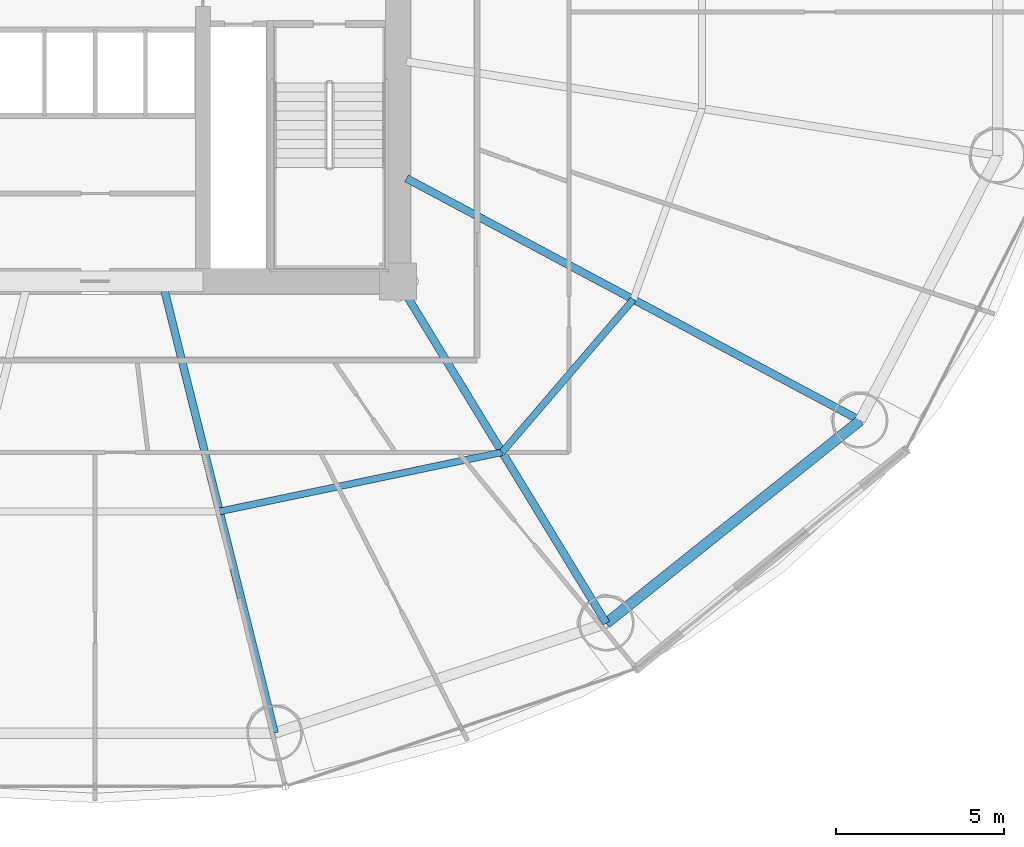
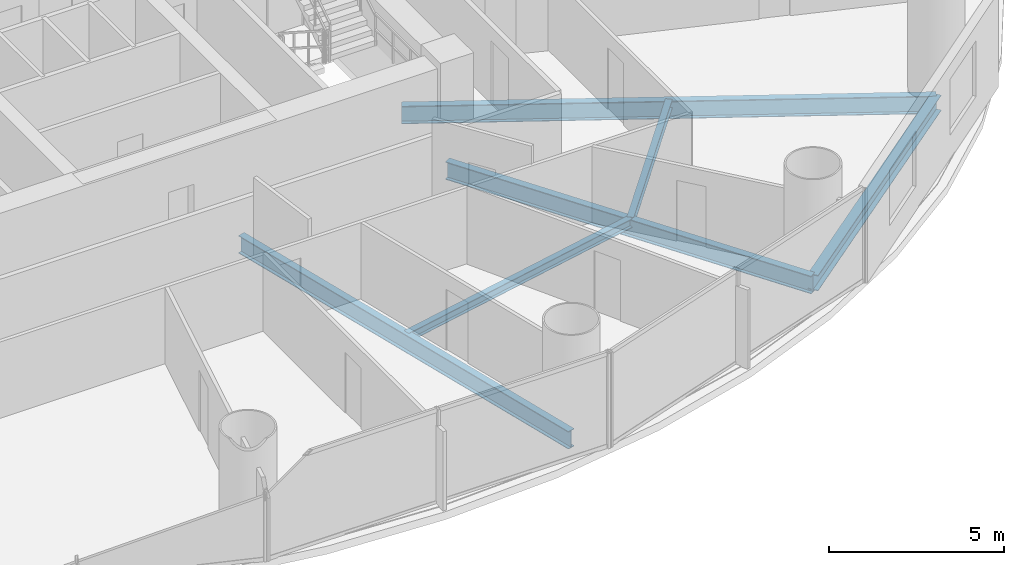
# One storey, part 12 of 30: 6 beams.
"""IFC4 building model written with IfcOpenShell, lengths in metres."""

import ifcopenshell
import ifcopenshell.guid

model = None  # the IFC model being written
_history = None  # IfcOwnerHistory: only IFC2X3 demands one
_inside = {}  # id of a spatial element -> (the spatial element, [elements in it])
_under = {}  # id of a project, library or spatial element -> (it, [spatial elements below it])
_declared = {}  # id of a project -> (the project, [libraries it declares])
_typed = {}  # id of a type object -> (the type object, [elements of that type])
_made_of = {}  # id of a material, layer set ... -> (it, [elements and type objects made of it])


def new_model(schema):
    """Start an empty IFC model of exactly this schema.

    Asked for "IFC4X3", IfcOpenShell would pick the latest addendum, in which some entities
    have other attributes; the version numbers below select the first issue.
    IFC2X3 requires an IfcOwnerHistory on every rooted entity: one is made here for all.
    """
    global model, _history
    if schema == "IFC4X3":
        model = ifcopenshell.file(schema_version=(4, 3, 0, 0))
    else:
        model = ifcopenshell.file(schema=schema)
    _inside.clear()
    _under.clear()
    _declared.clear()
    _typed.clear()
    _made_of.clear()
    _history = None
    if model.schema == "IFC2X3":
        org = make("IfcOrganization", Name="unknown")
        user = make(
            "IfcPersonAndOrganization",
            ThePerson=make("IfcPerson", FamilyName="unknown"),
            TheOrganization=org,
        )
        app = make(
            "IfcApplication",
            ApplicationDeveloper=org,
            Version="unknown",
            ApplicationFullName="unknown",
            ApplicationIdentifier="unknown",
        )
        _history = make(
            "IfcOwnerHistory",
            OwningUser=user,
            OwningApplication=app,
            ChangeAction="ADDED",
            CreationDate=0,
        )
    return model


def make(cls, **values):
    """One entity of the class cls with the attributes given. An attribute that is None is left unset."""
    return model.create_entity(
        cls, **{name: value for name, value in values.items() if value is not None}
    )


def rooted(cls, **values):
    """An entity with a GlobalId (a new one), such as an element, a storey or a relation."""
    return make(cls, GlobalId=ifcopenshell.guid.new(), OwnerHistory=_history, **values)


def si_unit(unit_type, name, prefix=None):
    """IfcSIUnit, for example si_unit("LENGTHUNIT", "METRE", prefix="MILLI")."""
    return make("IfcSIUnit", UnitType=unit_type, Prefix=prefix, Name=name)


def assignment(units):
    """IfcUnitAssignment: the units of a project."""
    return None if units is None else make("IfcUnitAssignment", Units=units)


def point(xyz):
    """IfcCartesianPoint."""
    return None if xyz is None else make("IfcCartesianPoint", Coordinates=xyz)


def direction(xyz):
    """IfcDirection."""
    return None if xyz is None else make("IfcDirection", DirectionRatios=xyz)


def frame(location, z_axis=None, x_axis=None):
    """IfcAxis2Placement3D, a coordinate frame: its origin and axes. An axis left out is left unset."""
    return make(
        "IfcAxis2Placement3D",
        Location=point(location),
        Axis=direction(z_axis),
        RefDirection=direction(x_axis),
    )


def frame_2d(location, x_axis=None):
    """IfcAxis2Placement2D, a coordinate frame in the plane: its origin and x axis."""
    return make(
        "IfcAxis2Placement2D", Location=point(location), RefDirection=direction(x_axis)
    )


def origin():
    """The frame at (0, 0, 0) with its axes left unset."""
    return frame((0.0, 0.0, 0.0))


def origin_2d():
    """The frame at (0, 0) in the plane with its x axis left unset."""
    return frame_2d((0.0, 0.0))


def place(relative_to, where):
    """IfcLocalPlacement: puts the frame where relative to a parent placement (None: the world)."""
    return make(
        "IfcLocalPlacement", PlacementRelTo=relative_to, RelativePlacement=where
    )


def context(
    kind, dimensions, precision=None, world=None, true_north=None, identifier=None
):
    """IfcGeometricRepresentationContext, for example the 3D "Model" context."""
    return make(
        "IfcGeometricRepresentationContext",
        ContextIdentifier=identifier,
        ContextType=kind,
        CoordinateSpaceDimension=dimensions,
        Precision=precision,
        WorldCoordinateSystem=world,
        TrueNorth=true_north,
    )


def subcontext(parent, identifier, kind, view, scale=None):
    """IfcGeometricRepresentationSubContext, for example "Body" below "Model"."""
    return make(
        "IfcGeometricRepresentationSubContext",
        ContextIdentifier=identifier,
        ContextType=kind,
        ParentContext=parent,
        TargetScale=scale,
        TargetView=view,
    )


def project(units=None, contexts=None):
    """IfcProject with its units and contexts."""
    return rooted(
        "IfcProject",
        Name="project",
        RepresentationContexts=contexts,
        UnitsInContext=assignment(units),
    )


def spatial(cls, under=None, at=None, **own):
    """A site, building, storey or space (cls), placed at a placement, below another one or the project."""
    s = rooted(cls, ObjectPlacement=at, **own)
    if under is not None:
        _under.setdefault(under.id(), (under, []))[1].append(s)
    return s


def profile(cls, at=None, kind="AREA", **sizes):
    """A parametric profile (cls). Its sizes go by their IFC names, for example OverallWidth=200.0."""
    return make(cls, ProfileType=kind, Position=at, **sizes)


def i_section(**sizes):
    """IfcIShapeProfileDef."""
    return profile("IfcIShapeProfileDef", **sizes)


def extrude(swept, where, along, depth):
    """IfcExtrudedAreaSolid: the profile swept, set in the frame where, extruded along a direction by depth."""
    return make(
        "IfcExtrudedAreaSolid",
        SweptArea=swept,
        Position=where,
        ExtrudedDirection=direction(along),
        Depth=depth,
    )


def shape(context_of_items, identifier, shape_type, items):
    """IfcShapeRepresentation: the items that make up one representation, for example the "Body"."""
    return make(
        "IfcShapeRepresentation",
        ContextOfItems=context_of_items,
        RepresentationIdentifier=identifier,
        RepresentationType=shape_type,
        Items=items,
    )


def material(Name=None, Category=None):
    """IfcMaterial."""
    return make("IfcMaterial", Name=Name, Category=Category)


def material_profile(
    of_material, cross_section, Name=None, Category=None, Priority=None
):
    """IfcMaterialProfile: a cross section and its material."""
    return make(
        "IfcMaterialProfile",
        Name=Name,
        Material=of_material,
        Profile=cross_section,
        Priority=Priority,
        Category=Category,
    )


def profile_set(profiles, Name=None, composite=None):
    """IfcMaterialProfileSet."""
    return make(
        "IfcMaterialProfileSet",
        Name=Name,
        MaterialProfiles=profiles,
        CompositeProfile=composite,
    )


def made_of(thing, what):
    """Note that an element or type object is made of a material, layer set ...; save() writes the relation."""
    if what is not None:
        _made_of.setdefault(what.id(), (what, []))[1].append(thing)
    return thing


def type_object(cls, material=None, **own):
    """A type object (cls), such as IfcWallType, which elements share."""
    return made_of(rooted(cls, **own), material)


def element(
    cls,
    number,
    at=None,
    inside=None,
    cuts=None,
    type_object=None,
    material=None,
    context=None,
    identifier="Body",
    shape_type=None,
    held_by="IfcProductDefinitionShape",
    body=None,
    shapes=None,
    **own,
):
    """One element of the class cls, such as IfcWall. Its Tag is "e" and its number.

    at: its placement. inside: the storey or other place that contains it. cuts: it is an
    opening in that element (IfcRelVoidsElement). A single representation is given by context,
    identifier, shape_type and body (its items); several are given by shapes. held_by: the class
    of the entity that holds the representations. save() writes the other relations.
    """
    e = rooted(cls, Tag="e%d" % number, ObjectPlacement=at, **own)
    if body is not None:
        shapes = [shape(context, identifier, shape_type, body)]
    if shapes is not None:
        e.Representation = make(held_by, Representations=shapes)
    if inside is not None:
        _inside.setdefault(inside.id(), (inside, []))[1].append(e)
    if cuts is not None:
        rooted(
            "IfcRelVoidsElement", RelatingBuildingElement=cuts, RelatedOpeningElement=e
        )
    if type_object is not None:
        _typed.setdefault(type_object.id(), (type_object, []))[1].append(e)
    return made_of(e, material)


def aggregate(whole, parts):
    """IfcRelAggregates: a whole, such as a stair, and the parts it consists of."""
    return rooted("IfcRelAggregates", RelatingObject=whole, RelatedObjects=parts)


def save(model, path):
    """Write the relations noted so far, then the file.

    IfcRelAggregates (storeys below a building ...), IfcRelContainedInSpatialStructure (elements
    in a storey), IfcRelDefinesByType, IfcRelAssociatesMaterial and IfcRelDeclares: one each for
    every whole, place, type object, material and project.
    """
    for whole, parts in _under.values():
        aggregate(whole, parts)
    for where, things in _inside.values():
        rooted(
            "IfcRelContainedInSpatialStructure",
            RelatedElements=things,
            RelatingStructure=where,
        )
    for kind, things in _typed.values():
        rooted("IfcRelDefinesByType", RelatedObjects=things, RelatingType=kind)
    for what, things in _made_of.values():
        rooted("IfcRelAssociatesMaterial", RelatedObjects=things, RelatingMaterial=what)
    for by, libraries in _declared.values():
        rooted("IfcRelDeclares", RelatingContext=by, RelatedDefinitions=libraries)
    model.write(path)


model = new_model("IFC4")

# Units and contexts
model_context = context("Model", 3, precision=1e-05, world=origin(), true_north=direction((-0.2419218956, 0.970295726276)))
body_context = subcontext(model_context, "Body", "Model", "MODEL_VIEW")
ifc_project = project(units=[si_unit("LENGTHUNIT", "METRE"), si_unit("AREAUNIT", "SQUARE_METRE"), si_unit("VOLUMEUNIT", "CUBIC_METRE"), si_unit("PLANEANGLEUNIT", "RADIAN"), si_unit("MASSUNIT", "GRAM", prefix="KILO")], contexts=[model_context])

# Site, building, storey
site_placement = place(None, origin())
site = spatial("IfcSite", under=ifc_project, at=site_placement, CompositionType="ELEMENT")
building_placement = place(site_placement, origin())
building = spatial("IfcBuilding", under=site, at=building_placement, Name="Cobrevalo Terracotta Tower", CompositionType="ELEMENT")
storey_placement = place(building_placement, frame((0.0, 0.0, 56.39990234375)))
storey = spatial("IfcBuildingStorey", under=building, at=storey_placement, Name="L14", CompositionType="ELEMENT", Elevation=56.39990234375)

# Beams
ifc_material = material(Name="Steel S355", Category="steel")
ifc_material_profile_1 = material_profile(ifc_material, i_section(OverallWidth=0.22998046875, OverallDepth=0.616943359375, WebThickness=0.01318359375, FlangeThickness=0.022216796875, at=origin_2d()), Name="W 610x140")
ifc_profile_set_1 = profile_set([ifc_material_profile_1], Name="Steel S355")
beam_type_1 = type_object("IfcBeamType", Name="Structural Beam W 610x140 (Steel S355)", PredefinedType="BEAM", material=ifc_profile_set_1)
beam_1_placement = place(storey_placement, frame((43.335693359375, 5.369873046875, -0.58837890625), z_axis=(-0.241600470374, 0.970375810042, 0.0), x_axis=(-0.970375810042, -0.241600470374, 0.0)))
element("IfcBeam", 1, at=beam_1_placement, inside=storey, type_object=beam_type_1, Name="L14 radial floor girder 13", PredefinedType="BEAM", context=body_context, shape_type="SweptSolid", body=[
    extrude(i_section(OverallWidth=0.22998046875, OverallDepth=0.616943359375, WebThickness=0.01318359375, FlangeThickness=0.022216796875, at=origin_2d()), origin(), (0.0, 0.0, 1.0), 13.5771484375),
])
beam_2_placement = place(storey_placement, frame((53.19482421875, 8.63232421875, -0.58837890625), z_axis=(-0.520300780853, 0.853983077961, 0.0), x_axis=(-0.853983077961, -0.520300780853, 0.0)))
element("IfcBeam", 2, at=beam_2_placement, inside=storey, type_object=beam_type_1, Name="L14 radial floor girder 14", PredefinedType="BEAM", context=body_context, shape_type="SweptSolid", body=[
    extrude(i_section(OverallWidth=0.22998046875, OverallDepth=0.616943359375, WebThickness=0.01318359375, FlangeThickness=0.022216796875, at=origin_2d()), origin(), (0.0, 0.0, 1.0), 11.90625),
])
beam_3_placement = place(storey_placement, frame((60.74072265625, 14.660888671875, -0.58837890625), z_axis=(-0.88218223571, 0.470908168329, 0.0), x_axis=(-0.470908168329, -0.88218223571, 0.0)))
element("IfcBeam", 3, at=beam_3_placement, inside=storey, type_object=beam_type_1, Name="L14 radial floor girder 15", PredefinedType="BEAM", context=body_context, shape_type="SweptSolid", body=[
    extrude(i_section(OverallWidth=0.22998046875, OverallDepth=0.616943359375, WebThickness=0.01318359375, FlangeThickness=0.022216796875, at=origin_2d()), origin(), (0.0, 0.0, 1.0), 15.286865234375),
])
ifc_material_profile_2 = material_profile(ifc_material, i_section(OverallWidth=0.2041015625, OverallDepth=0.305908203125, WebThickness=0.008544921875, FlangeThickness=0.0146484375, at=origin_2d()), Name="W 310x67")
ifc_profile_set_2 = profile_set([ifc_material_profile_2], Name="Steel S355")
beam_type_2 = type_object("IfcBeamType", Name="Structural Joist W 310x67 (Steel S355)", PredefinedType="JOIST", material=ifc_profile_set_2)
beam_4_placement = place(storey_placement, frame((41.695556640625, 11.95751953125, -0.432861328125), z_axis=(0.978784523904, 0.204892302848, 0.0), x_axis=(-0.204892302848, 0.978784523904, 0.0)))
element("IfcBeam", 4, at=beam_4_placement, inside=storey, type_object=beam_type_2, Name="L14 circumferential secondary floor joist 13", PredefinedType="JOIST", context=body_context, shape_type="SweptSolid", body=[
    extrude(i_section(OverallWidth=0.2041015625, OverallDepth=0.305908203125, WebThickness=0.008544921875, FlangeThickness=0.0146484375, at=origin_2d()), origin(), (0.0, 0.0, 1.0), 8.583984375),
])
beam_5_placement = place(storey_placement, frame((50.097412109375, 13.71630859375, -0.432861328125), z_axis=(0.651328404454, 0.758795960421, 0.0), x_axis=(-0.758795960421, 0.651328404454, 0.0)))
element("IfcBeam", 5, at=beam_5_placement, inside=storey, type_object=beam_type_2, Name="L14 circumferential secondary floor joist 14", PredefinedType="JOIST", context=body_context, shape_type="SweptSolid", body=[
    extrude(i_section(OverallWidth=0.2041015625, OverallDepth=0.305908203125, WebThickness=0.008544921875, FlangeThickness=0.0146484375, at=origin_2d()), origin(), (0.0, 0.0, 1.0), 5.98828125),
])
ifc_material_profile_3 = material_profile(ifc_material, i_section(OverallWidth=0.31201171875, OverallDepth=0.54296875, WebThickness=0.0126953125, FlangeThickness=0.020263671875, at=origin_2d()), Name="W 530x150")
ifc_profile_set_3 = profile_set([ifc_material_profile_3], Name="Steel S355")
beam_type_3 = type_object("IfcBeamType", Name="Structural Spandrel W 530x150 (Steel S355)", PredefinedType="SPANDREL", material=ifc_profile_set_3)
beam_6_placement = place(storey_placement, frame((53.19482421875, 8.63232421875, -0.551513671875), z_axis=(0.781280479891, 0.62418011162, 0.0), x_axis=(-0.62418011162, 0.781280479891, 0.0)))
element("IfcBeam", 6, at=beam_6_placement, inside=storey, type_object=beam_type_3, Name="L14 perimeter ring spandrel 14", PredefinedType="SPANDREL", context=body_context, shape_type="SweptSolid", body=[
    extrude(i_section(OverallWidth=0.31201171875, OverallDepth=0.54296875, WebThickness=0.0126953125, FlangeThickness=0.020263671875, at=origin_2d()), origin(), (0.0, 0.0, 1.0), 9.658447265625),
])

save(model, "model.ifc")
